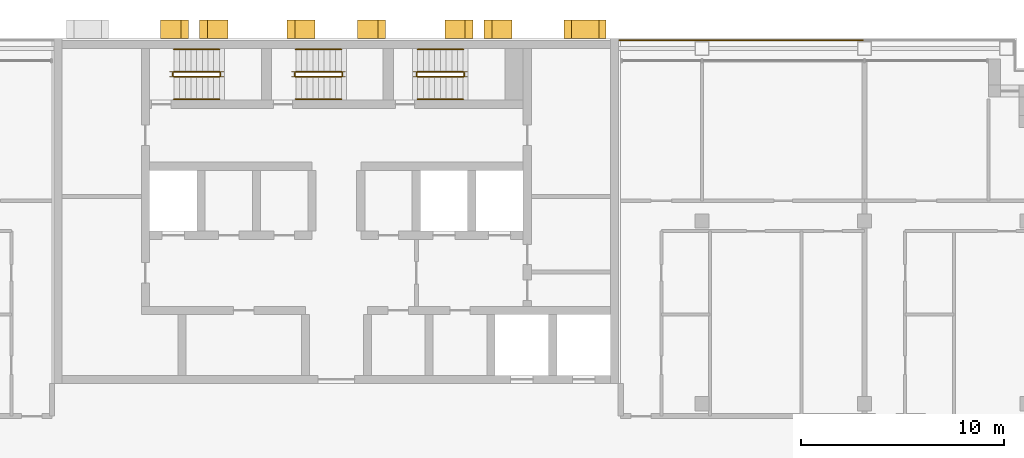
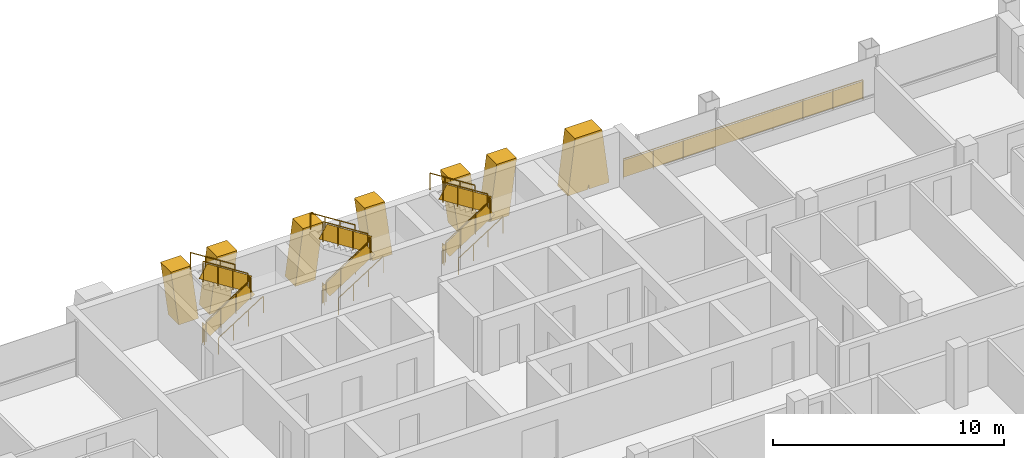
# One storey, part 15 of 16: 19 railings, 7 shading devices.
"""IFC4 building model written with IfcOpenShell, lengths in metres."""

from ifc_helpers import new_model, si_unit, direction, frame, origin, origin_2d, place, context, subcontext, project, spatial, polyline, rectangle, circle, outline, extrude, material, layer, layer_set, type_object, element, save


model = new_model("IFC4")

# Units and contexts
model_context = context("Model", 3, precision=1e-05, world=origin(), true_north=direction((0.0, 1.0)))
body_context = subcontext(model_context, "Body", "Model", "MODEL_VIEW")
ifc_project = project(units=[si_unit("LENGTHUNIT", "METRE"), si_unit("AREAUNIT", "SQUARE_METRE"), si_unit("VOLUMEUNIT", "CUBIC_METRE"), si_unit("PLANEANGLEUNIT", "RADIAN"), si_unit("MASSUNIT", "GRAM", prefix="KILO")], contexts=[model_context])

# Site, building, storey
site_placement = place(None, origin())
site = spatial("IfcSite", under=ifc_project, at=site_placement, CompositionType="ELEMENT")
building_placement = place(site_placement, origin())
building = spatial("IfcBuilding", under=site, at=building_placement, Name="Vidyagriha Tower", CompositionType="ELEMENT")
storey_placement = place(building_placement, frame((0.0, 0.0, 171.699951171875)))
storey = spatial("IfcBuildingStorey", under=building, at=storey_placement, Name="L44", CompositionType="ELEMENT", Elevation=171.699951171875)

# Shading devices
ifc_material_1 = material(Name="Precast concrete C40/50 with brick facing", Category="concrete")
ifc_layer_1 = layer(ifc_material_1, 1.0)
ifc_layer_set_1 = layer_set([ifc_layer_1], Name="Precast concrete C40/50 with brick facing")
shading_device_type_1 = type_object("IfcShadingDeviceType", Name="Brick-faced rear rib arm leaning 8 degrees", PredefinedType="USERDEFINED", material=ifc_layer_set_1)
shading_device_1_placement = place(storey_placement, frame((6.728515625, 20.449951171875, 0.0), z_axis=(0.0, 0.0, 1.0), x_axis=(-1.0, 0.0, 0.0)))
element("IfcShadingDevice", 1, at=shading_device_1_placement, inside=storey, type_object=shading_device_type_1, Name="Rear rib arm L44 R08.2a", ObjectType="BLADE FIN", PredefinedType="USERDEFINED", context=body_context, shape_type="SweptSolid", body=[
    extrude(outline(polyline([(0.0, 0.0), (1.0, 0.0), (1.3857421875, 2.920166015625), (0.3857421875, 2.920166015625), (0.0, 0.0)])), frame((0.0, 0.449951171875, 0.0), z_axis=(0.0, -1.0, 0.0), x_axis=(1.0, 0.0, 0.0)), (0.0, 0.0, 1.0), 0.89990234375),
])
shading_device_2_placement = place(storey_placement, frame((8.656982421875, 20.449951171875, 0.0), z_axis=(0.0, 0.0, 1.0), x_axis=(-1.0, 0.0, 0.0)))
element("IfcShadingDevice", 2, at=shading_device_2_placement, inside=storey, type_object=shading_device_type_1, Name="Rear rib arm L44 R08.2b", ObjectType="BLADE FIN", PredefinedType="USERDEFINED", context=body_context, shape_type="SweptSolid", body=[
    extrude(outline(polyline([(0.3857421875, 0.0), (1.3857421875, 0.0), (1.0, 2.920166015625), (0.0, 2.920166015625), (0.3857421875, 0.0)])), frame((0.0, 0.449951171875, 0.0), z_axis=(0.0, -1.0, 0.0), x_axis=(1.0, 0.0, 0.0)), (0.0, 0.0, 1.0), 0.89990234375),
])
shading_device_3_placement = place(storey_placement, frame((2.4287109375, 20.449951171875, 0.0), z_axis=(0.0, 0.0, 1.0), x_axis=(-1.0, 0.0, 0.0)))
element("IfcShadingDevice", 3, at=shading_device_3_placement, inside=storey, type_object=shading_device_type_1, Name="Rear rib arm L44 R08.3a", ObjectType="BLADE FIN", PredefinedType="USERDEFINED", context=body_context, shape_type="SweptSolid", body=[
    extrude(outline(polyline([(0.0, 0.0), (1.0, 0.0), (1.3857421875, 2.920166015625), (0.3857421875, 2.920166015625), (0.0, 0.0)])), frame((0.0, 0.449951171875, 0.0), z_axis=(0.0, -1.0, 0.0), x_axis=(1.0, 0.0, 0.0)), (0.0, 0.0, 1.0), 0.89990234375),
])
shading_device_4_placement = place(storey_placement, frame((-1.04296875, 20.449951171875, 0.0), z_axis=(0.0, 0.0, 1.0), x_axis=(-1.0, 0.0, 0.0)))
element("IfcShadingDevice", 4, at=shading_device_4_placement, inside=storey, type_object=shading_device_type_1, Name="Rear rib arm L44 R08.3b", ObjectType="BLADE FIN", PredefinedType="USERDEFINED", context=body_context, shape_type="SweptSolid", body=[
    extrude(outline(polyline([(0.3857421875, 0.0), (1.3857421875, 0.0), (1.0, 2.920166015625), (0.0, 2.920166015625), (0.3857421875, 0.0)])), frame((0.0, 0.449951171875, 0.0), z_axis=(0.0, -1.0, 0.0), x_axis=(1.0, 0.0, 0.0)), (0.0, 0.0, 1.0), 0.89990234375),
])
shading_device_5_placement = place(storey_placement, frame((-7.271484375, 20.449951171875, 0.0), z_axis=(0.0, 0.0, 1.0), x_axis=(-1.0, 0.0, 0.0)))
element("IfcShadingDevice", 5, at=shading_device_5_placement, inside=storey, type_object=shading_device_type_1, Name="Rear rib arm L44 R08.4a", ObjectType="BLADE FIN", PredefinedType="USERDEFINED", context=body_context, shape_type="SweptSolid", body=[
    extrude(outline(polyline([(0.0, 0.0), (1.0, 0.0), (1.3857421875, 2.920166015625), (0.3857421875, 2.920166015625), (0.0, 0.0)])), frame((0.0, 0.449951171875, 0.0), z_axis=(0.0, -1.0, 0.0), x_axis=(1.0, 0.0, 0.0)), (0.0, 0.0, 1.0), 0.89990234375),
])
shading_device_6_placement = place(storey_placement, frame((-5.343017578125, 20.449951171875, 0.0), z_axis=(0.0, 0.0, 1.0), x_axis=(-1.0, 0.0, 0.0)))
element("IfcShadingDevice", 6, at=shading_device_6_placement, inside=storey, type_object=shading_device_type_1, Name="Rear rib arm L44 R08.4b", ObjectType="BLADE FIN", PredefinedType="USERDEFINED", context=body_context, shape_type="SweptSolid", body=[
    extrude(outline(polyline([(0.3857421875, 0.0), (1.3857421875, 0.0), (1.0, 2.920166015625), (0.0, 2.920166015625), (0.3857421875, 0.0)])), frame((0.0, 0.449951171875, 0.0), z_axis=(0.0, -1.0, 0.0), x_axis=(1.0, 0.0, 0.0)), (0.0, 0.0, 1.0), 0.89990234375),
])
ifc_material_2 = material(Name="Precast concrete C40/50 with brick facing", Category="concrete")
ifc_layer_2 = layer(ifc_material_2, 1.0)
ifc_layer_set_2 = layer_set([ifc_layer_2], Name="Precast concrete C40/50 with brick facing")
shading_device_type_2 = type_object("IfcShadingDeviceType", Name="Brick-faced rear rib forking 8 degrees", PredefinedType="USERDEFINED", material=ifc_layer_set_2)
shading_device_7_placement = place(storey_placement, frame((13.28564453125, 20.449951171875, 0.0), z_axis=(0.0, 0.0, 1.0), x_axis=(-1.0, 0.0, 0.0)))
element("IfcShadingDevice", 7, at=shading_device_7_placement, inside=storey, type_object=shading_device_type_2, Name="Rear rib fork L44 R08.1a", ObjectType="BLADE FIN", PredefinedType="USERDEFINED", context=body_context, shape_type="SweptSolid", body=[
    extrude(outline(polyline([(1.0, 0.0), (1.03564453125, 0.2919921875), (1.0712890625, 0.0), (2.0712890625, 0.0), (1.71435546875, 2.920166015625), (0.357177734375, 2.920166015625), (0.0, 0.0), (1.0, 0.0)])), frame((0.0, 0.449951171875, 0.0), z_axis=(0.0, -1.0, 0.0), x_axis=(1.0, 0.0, 0.0)), (0.0, 0.0, 1.0), 0.89990234375),
])

# Railings
ifc_material_3 = material(Name="Steel ASTM A500 Grade C black painted", Category="steel")
railing_type_1 = type_object("IfcRailingType", Name="Gallery guard 1100", PredefinedType="GUARDRAIL", material=ifc_material_3)
railing_1_placement = place(storey_placement, frame((13.929931640625, 19.89990234375, 0.0)))
element("IfcRailing", 8, at=railing_1_placement, inside=storey, type_object=railing_type_1, Name="Gallery guard L44 6", PredefinedType="GUARDRAIL", context=body_context, shape_type="SweptSolid", body=[
    extrude(circle(Radius=0.02490234375, at=origin_2d()), frame((0.0, 0.0, 1.0751953125), z_axis=(1.0, 0.0, 0.0), x_axis=(0.0, 1.0, 0.0)), (0.0, 0.0, 1.0), 12.0),
    extrude(circle(Radius=0.02001953125, at=origin_2d()), origin(), (0.0, 0.0, 1.0), 1.050048828125),
    extrude(circle(Radius=0.02001953125, at=origin_2d()), frame((1.5, 0.0, 0.0)), (0.0, 0.0, 1.0), 1.050048828125),
    extrude(circle(Radius=0.02001953125, at=origin_2d()), frame((3.0, 0.0, 0.0)), (0.0, 0.0, 1.0), 1.050048828125),
    extrude(circle(Radius=0.02001953125, at=origin_2d()), frame((4.5, 0.0, 0.0)), (0.0, 0.0, 1.0), 1.050048828125),
    extrude(circle(Radius=0.02001953125, at=origin_2d()), frame((6.0, 0.0, 0.0)), (0.0, 0.0, 1.0), 1.050048828125),
    extrude(circle(Radius=0.02001953125, at=origin_2d()), frame((7.5, 0.0, 0.0)), (0.0, 0.0, 1.0), 1.050048828125),
    extrude(circle(Radius=0.02001953125, at=origin_2d()), frame((9.0, 0.0, 0.0)), (0.0, 0.0, 1.0), 1.050048828125),
    extrude(circle(Radius=0.02001953125, at=origin_2d()), frame((10.5, 0.0, 0.0)), (0.0, 0.0, 1.0), 1.050048828125),
    extrude(circle(Radius=0.02001953125, at=origin_2d()), frame((12.0, 0.0, 0.0)), (0.0, 0.0, 1.0), 1.050048828125),
    extrude(rectangle(XDim=0.010009765625, YDim=0.900146484375, at=origin_2d()), frame((0.0, 0.0, 0.550048828125), z_axis=(1.0, 0.0, 0.0), x_axis=(0.0, 1.0, 0.0)), (0.0, 0.0, 1.0), 12.0),
])
ifc_material_4 = material(Name="Steel ASTM A500 Grade C", Category="steel")
railing_type_2 = type_object("IfcRailingType", Name="Stair guard 1100 mm, steel balustrade", PredefinedType="GUARDRAIL", material=ifc_material_4)
railing_2_placement = place(storey_placement, frame((-8.0, 18.10009765625, 0.177734375)))
element("IfcRailing", 9, at=railing_2_placement, inside=storey, type_object=railing_type_2, Name="L44 ST1 stair guard 1", PredefinedType="GUARDRAIL", context=body_context, shape_type="SweptSolid", body=[
    extrude(circle(Radius=0.02392578125, at=origin_2d()), frame((0.0, 0.0, 1.076171875), z_axis=(0.84418770128, 0.0, 0.536047689118), x_axis=(0.0, 1.0, 0.0)), (0.0, 0.0, 1.0), 2.6533203125),
    extrude(circle(Radius=0.02099609375, at=origin_2d()), origin(), (0.0, 0.0, 1.0), 1.052001953125),
    extrude(circle(Radius=0.02099609375, at=origin_2d()), frame((0.74658203125, 0.0, 0.47412109375)), (0.0, 0.0, 1.0), 1.052001953125),
    extrude(circle(Radius=0.02099609375, at=origin_2d()), frame((1.493408203125, 0.0, 0.9482421875)), (0.0, 0.0, 1.0), 1.052001953125),
    extrude(circle(Radius=0.02099609375, at=origin_2d()), frame((2.239990234375, 0.0, 1.42236328125)), (0.0, 0.0, 1.0), 1.052001953125),
    extrude(rectangle(XDim=0.010009765625, YDim=0.761474609375, at=origin_2d()), frame((0.0, 0.0, 0.551025390625), z_axis=(0.84418770128, 0.0, 0.536047689118), x_axis=(0.0, 1.0, 0.0)), (0.0, 0.0, 1.0), 2.6533203125),
])
railing_3_placement = place(storey_placement, frame((-5.7099609375, 18.14990234375, 1.60009765625)))
element("IfcRailing", 10, at=railing_3_placement, inside=storey, type_object=railing_type_2, Name="L44 ST1 stair guard 2", PredefinedType="GUARDRAIL", context=body_context, shape_type="SweptSolid", body=[
    extrude(circle(Radius=0.02392578125, at=origin_2d()), frame((0.0, 0.0, 1.076171875), z_axis=(0.0, 1.0, 0.0), x_axis=(-1.0, 0.0, 0.0)), (0.0, 0.0, 1.0), 0.150146484375),
    extrude(circle(Radius=0.02099609375, at=origin_2d()), origin(), (0.0, 0.0, 1.0), 1.052001953125),
    extrude(circle(Radius=0.02099609375, at=origin_2d()), frame((0.0, 0.150146484375, 0.0)), (0.0, 0.0, 1.0), 1.052001953125),
    extrude(rectangle(XDim=0.010009765625, YDim=0.902099609375, at=origin_2d()), frame((0.0, 0.0, 0.551025390625), z_axis=(0.0, 1.0, 0.0), x_axis=(-1.0, 0.0, 0.0)), (0.0, 0.0, 1.0), 0.150146484375),
])
railing_4_placement = place(storey_placement, frame((-5.760009765625, 18.35009765625, 1.77783203125)))
element("IfcRailing", 11, at=railing_4_placement, inside=storey, type_object=railing_type_2, Name="L44 ST1 stair guard 3", PredefinedType="GUARDRAIL", context=body_context, shape_type="SweptSolid", body=[
    extrude(circle(Radius=0.02392578125, at=origin_2d()), frame((0.0, 0.0, 1.076171875), z_axis=(-0.8442293374, 0.0, 0.53598211339), x_axis=(0.0, -1.0, 0.0)), (0.0, 0.0, 1.0), 2.6533203125),
    extrude(circle(Radius=0.02099609375, at=origin_2d()), origin(), (0.0, 0.0, 1.0), 1.052001953125),
    extrude(circle(Radius=0.02099609375, at=origin_2d()), frame((-0.74658203125, 0.0, 0.47412109375)), (0.0, 0.0, 1.0), 1.052001953125),
    extrude(circle(Radius=0.02099609375, at=origin_2d()), frame((-1.493408203125, 0.0, 0.947998046875)), (0.0, 0.0, 1.0), 1.052001953125),
    extrude(circle(Radius=0.02099609375, at=origin_2d()), frame((-2.239990234375, 0.0, 1.422119140625)), (0.0, 0.0, 1.0), 1.052001953125),
    extrude(rectangle(XDim=0.010009765625, YDim=0.761474609375, at=origin_2d()), frame((0.0, 0.0, 0.551025390625), z_axis=(-0.8442293374, 0.0, 0.53598211339), x_axis=(0.0, -1.0, 0.0)), (0.0, 0.0, 1.0), 2.6533203125),
])
railing_5_placement = place(storey_placement, frame((-8.050048828125, 18.14990234375, 0.0)))
element("IfcRailing", 12, at=railing_5_placement, inside=storey, type_object=railing_type_2, Name="L44 ST1 stair guard 4", PredefinedType="GUARDRAIL", context=body_context, shape_type="SweptSolid", body=[
    extrude(circle(Radius=0.02392578125, at=origin_2d()), frame((0.0, 0.0, 1.076171875), z_axis=(0.0, 1.0, 0.0), x_axis=(-1.0, 0.0, 0.0)), (0.0, 0.0, 1.0), 0.150146484375),
    extrude(circle(Radius=0.02099609375, at=origin_2d()), origin(), (0.0, 0.0, 1.0), 1.052001953125),
    extrude(circle(Radius=0.02099609375, at=origin_2d()), frame((0.0, 0.150146484375, 0.0)), (0.0, 0.0, 1.0), 1.052001953125),
    extrude(rectangle(XDim=0.010009765625, YDim=0.902099609375, at=origin_2d()), frame((0.0, 0.0, 0.551025390625), z_axis=(0.0, 1.0, 0.0), x_axis=(-1.0, 0.0, 0.0)), (0.0, 0.0, 1.0), 0.150146484375),
])
railing_6_placement = place(storey_placement, frame((-2.0, 18.10009765625, 0.177734375)))
element("IfcRailing", 13, at=railing_6_placement, inside=storey, type_object=railing_type_2, Name="L44 ST2 stair guard 1", PredefinedType="GUARDRAIL", context=body_context, shape_type="SweptSolid", body=[
    extrude(circle(Radius=0.02392578125, at=origin_2d()), frame((0.0, 0.0, 1.076171875), z_axis=(0.84418770128, 0.0, 0.536047689118), x_axis=(0.0, 1.0, 0.0)), (0.0, 0.0, 1.0), 2.6533203125),
    extrude(circle(Radius=0.02099609375, at=origin_2d()), origin(), (0.0, 0.0, 1.0), 1.052001953125),
    extrude(circle(Radius=0.02099609375, at=origin_2d()), frame((0.74658203125, 0.0, 0.47412109375)), (0.0, 0.0, 1.0), 1.052001953125),
    extrude(circle(Radius=0.02099609375, at=origin_2d()), frame((1.493408203125, 0.0, 0.9482421875)), (0.0, 0.0, 1.0), 1.052001953125),
    extrude(circle(Radius=0.02099609375, at=origin_2d()), frame((2.239990234375, 0.0, 1.42236328125)), (0.0, 0.0, 1.0), 1.052001953125),
    extrude(rectangle(XDim=0.010009765625, YDim=0.761474609375, at=origin_2d()), frame((0.0, 0.0, 0.551025390625), z_axis=(0.84418770128, 0.0, 0.536047689118), x_axis=(0.0, 1.0, 0.0)), (0.0, 0.0, 1.0), 2.6533203125),
])
railing_7_placement = place(storey_placement, frame((0.2900390625, 18.14990234375, 1.60009765625)))
element("IfcRailing", 14, at=railing_7_placement, inside=storey, type_object=railing_type_2, Name="L44 ST2 stair guard 2", PredefinedType="GUARDRAIL", context=body_context, shape_type="SweptSolid", body=[
    extrude(circle(Radius=0.02392578125, at=origin_2d()), frame((0.0, 0.0, 1.076171875), z_axis=(0.0, 1.0, 0.0), x_axis=(-1.0, 0.0, 0.0)), (0.0, 0.0, 1.0), 0.150146484375),
    extrude(circle(Radius=0.02099609375, at=origin_2d()), origin(), (0.0, 0.0, 1.0), 1.052001953125),
    extrude(circle(Radius=0.02099609375, at=origin_2d()), frame((0.0, 0.150146484375, 0.0)), (0.0, 0.0, 1.0), 1.052001953125),
    extrude(rectangle(XDim=0.010009765625, YDim=0.902099609375, at=origin_2d()), frame((0.0, 0.0, 0.551025390625), z_axis=(0.0, 1.0, 0.0), x_axis=(-1.0, 0.0, 0.0)), (0.0, 0.0, 1.0), 0.150146484375),
])
railing_8_placement = place(storey_placement, frame((0.239990234375, 18.35009765625, 1.77783203125)))
element("IfcRailing", 15, at=railing_8_placement, inside=storey, type_object=railing_type_2, Name="L44 ST2 stair guard 3", PredefinedType="GUARDRAIL", context=body_context, shape_type="SweptSolid", body=[
    extrude(circle(Radius=0.02392578125, at=origin_2d()), frame((0.0, 0.0, 1.076171875), z_axis=(-0.8442293374, 0.0, 0.53598211339), x_axis=(0.0, -1.0, 0.0)), (0.0, 0.0, 1.0), 2.6533203125),
    extrude(circle(Radius=0.02099609375, at=origin_2d()), origin(), (0.0, 0.0, 1.0), 1.052001953125),
    extrude(circle(Radius=0.02099609375, at=origin_2d()), frame((-0.74658203125, 0.0, 0.47412109375)), (0.0, 0.0, 1.0), 1.052001953125),
    extrude(circle(Radius=0.02099609375, at=origin_2d()), frame((-1.493408203125, 0.0, 0.947998046875)), (0.0, 0.0, 1.0), 1.052001953125),
    extrude(circle(Radius=0.02099609375, at=origin_2d()), frame((-2.239990234375, 0.0, 1.422119140625)), (0.0, 0.0, 1.0), 1.052001953125),
    extrude(rectangle(XDim=0.010009765625, YDim=0.761474609375, at=origin_2d()), frame((0.0, 0.0, 0.551025390625), z_axis=(-0.8442293374, 0.0, 0.53598211339), x_axis=(0.0, -1.0, 0.0)), (0.0, 0.0, 1.0), 2.6533203125),
])
railing_9_placement = place(storey_placement, frame((-2.050048828125, 18.14990234375, 0.0)))
element("IfcRailing", 16, at=railing_9_placement, inside=storey, type_object=railing_type_2, Name="L44 ST2 stair guard 4", PredefinedType="GUARDRAIL", context=body_context, shape_type="SweptSolid", body=[
    extrude(circle(Radius=0.02392578125, at=origin_2d()), frame((0.0, 0.0, 1.076171875), z_axis=(0.0, 1.0, 0.0), x_axis=(-1.0, 0.0, 0.0)), (0.0, 0.0, 1.0), 0.150146484375),
    extrude(circle(Radius=0.02099609375, at=origin_2d()), origin(), (0.0, 0.0, 1.0), 1.052001953125),
    extrude(circle(Radius=0.02099609375, at=origin_2d()), frame((0.0, 0.150146484375, 0.0)), (0.0, 0.0, 1.0), 1.052001953125),
    extrude(rectangle(XDim=0.010009765625, YDim=0.902099609375, at=origin_2d()), frame((0.0, 0.0, 0.551025390625), z_axis=(0.0, 1.0, 0.0), x_axis=(-1.0, 0.0, 0.0)), (0.0, 0.0, 1.0), 0.150146484375),
])
railing_10_placement = place(storey_placement, frame((4.0, 18.10009765625, 0.177734375)))
element("IfcRailing", 17, at=railing_10_placement, inside=storey, type_object=railing_type_2, Name="L44 ST3 stair guard 1", PredefinedType="GUARDRAIL", context=body_context, shape_type="SweptSolid", body=[
    extrude(circle(Radius=0.02392578125, at=origin_2d()), frame((0.0, 0.0, 1.076171875), z_axis=(0.84418770128, 0.0, 0.536047689118), x_axis=(0.0, 1.0, 0.0)), (0.0, 0.0, 1.0), 2.6533203125),
    extrude(circle(Radius=0.02099609375, at=origin_2d()), origin(), (0.0, 0.0, 1.0), 1.052001953125),
    extrude(circle(Radius=0.02099609375, at=origin_2d()), frame((0.74658203125, 0.0, 0.47412109375)), (0.0, 0.0, 1.0), 1.052001953125),
    extrude(circle(Radius=0.02099609375, at=origin_2d()), frame((1.493408203125, 0.0, 0.9482421875)), (0.0, 0.0, 1.0), 1.052001953125),
    extrude(circle(Radius=0.02099609375, at=origin_2d()), frame((2.239990234375, 0.0, 1.42236328125)), (0.0, 0.0, 1.0), 1.052001953125),
    extrude(rectangle(XDim=0.010009765625, YDim=0.761474609375, at=origin_2d()), frame((0.0, 0.0, 0.551025390625), z_axis=(0.84418770128, 0.0, 0.536047689118), x_axis=(0.0, 1.0, 0.0)), (0.0, 0.0, 1.0), 2.6533203125),
])
railing_11_placement = place(storey_placement, frame((6.2900390625, 18.14990234375, 1.60009765625)))
element("IfcRailing", 18, at=railing_11_placement, inside=storey, type_object=railing_type_2, Name="L44 ST3 stair guard 2", PredefinedType="GUARDRAIL", context=body_context, shape_type="SweptSolid", body=[
    extrude(circle(Radius=0.02392578125, at=origin_2d()), frame((0.0, 0.0, 1.076171875), z_axis=(0.0, 1.0, 0.0), x_axis=(-1.0, 0.0, 0.0)), (0.0, 0.0, 1.0), 0.150146484375),
    extrude(circle(Radius=0.02099609375, at=origin_2d()), origin(), (0.0, 0.0, 1.0), 1.052001953125),
    extrude(circle(Radius=0.02099609375, at=origin_2d()), frame((0.0, 0.150146484375, 0.0)), (0.0, 0.0, 1.0), 1.052001953125),
    extrude(rectangle(XDim=0.010009765625, YDim=0.902099609375, at=origin_2d()), frame((0.0, 0.0, 0.551025390625), z_axis=(0.0, 1.0, 0.0), x_axis=(-1.0, 0.0, 0.0)), (0.0, 0.0, 1.0), 0.150146484375),
])
railing_12_placement = place(storey_placement, frame((6.239990234375, 18.35009765625, 1.77783203125)))
element("IfcRailing", 19, at=railing_12_placement, inside=storey, type_object=railing_type_2, Name="L44 ST3 stair guard 3", PredefinedType="GUARDRAIL", context=body_context, shape_type="SweptSolid", body=[
    extrude(circle(Radius=0.02392578125, at=origin_2d()), frame((0.0, 0.0, 1.076171875), z_axis=(-0.8442293374, 0.0, 0.53598211339), x_axis=(0.0, -1.0, 0.0)), (0.0, 0.0, 1.0), 2.6533203125),
    extrude(circle(Radius=0.02099609375, at=origin_2d()), origin(), (0.0, 0.0, 1.0), 1.052001953125),
    extrude(circle(Radius=0.02099609375, at=origin_2d()), frame((-0.74658203125, 0.0, 0.47412109375)), (0.0, 0.0, 1.0), 1.052001953125),
    extrude(circle(Radius=0.02099609375, at=origin_2d()), frame((-1.493408203125, 0.0, 0.947998046875)), (0.0, 0.0, 1.0), 1.052001953125),
    extrude(circle(Radius=0.02099609375, at=origin_2d()), frame((-2.239990234375, 0.0, 1.422119140625)), (0.0, 0.0, 1.0), 1.052001953125),
    extrude(rectangle(XDim=0.010009765625, YDim=0.761474609375, at=origin_2d()), frame((0.0, 0.0, 0.551025390625), z_axis=(-0.8442293374, 0.0, 0.53598211339), x_axis=(0.0, -1.0, 0.0)), (0.0, 0.0, 1.0), 2.6533203125),
])
railing_13_placement = place(storey_placement, frame((3.949951171875, 18.14990234375, 0.0)))
element("IfcRailing", 20, at=railing_13_placement, inside=storey, type_object=railing_type_2, Name="L44 ST3 stair guard 4", PredefinedType="GUARDRAIL", context=body_context, shape_type="SweptSolid", body=[
    extrude(circle(Radius=0.02392578125, at=origin_2d()), frame((0.0, 0.0, 1.076171875), z_axis=(0.0, 1.0, 0.0), x_axis=(-1.0, 0.0, 0.0)), (0.0, 0.0, 1.0), 0.150146484375),
    extrude(circle(Radius=0.02099609375, at=origin_2d()), origin(), (0.0, 0.0, 1.0), 1.052001953125),
    extrude(circle(Radius=0.02099609375, at=origin_2d()), frame((0.0, 0.150146484375, 0.0)), (0.0, 0.0, 1.0), 1.052001953125),
    extrude(rectangle(XDim=0.010009765625, YDim=0.902099609375, at=origin_2d()), frame((0.0, 0.0, 0.551025390625), z_axis=(0.0, 1.0, 0.0), x_axis=(-1.0, 0.0, 0.0)), (0.0, 0.0, 1.0), 0.150146484375),
])
ifc_material_5 = material(Name="Steel ASTM A500 Grade C", Category="steel")
railing_type_3 = type_object("IfcRailingType", Name="Stair handrail 900 mm, steel", PredefinedType="HANDRAIL", material=ifc_material_5)
railing_14_placement = place(storey_placement, frame((-8.0, 17.0, 0.177734375)))
element("IfcRailing", 21, at=railing_14_placement, inside=storey, type_object=railing_type_3, Name="L44 ST1 stair handrail 1", PredefinedType="HANDRAIL", context=body_context, shape_type="SweptSolid", body=[
    extrude(circle(Radius=0.02392578125, at=origin_2d()), frame((0.0, 0.0, 0.8759765625), z_axis=(0.84418770128, 0.0, 0.536047689118), x_axis=(0.0, 1.0, 0.0)), (0.0, 0.0, 1.0), 2.6533203125),
    extrude(circle(Radius=0.02099609375, at=origin_2d()), origin(), (0.0, 0.0, 1.0), 0.851806640625),
    extrude(circle(Radius=0.02099609375, at=origin_2d()), frame((0.74658203125, 0.0, 0.47412109375)), (0.0, 0.0, 1.0), 0.851806640625),
    extrude(circle(Radius=0.02099609375, at=origin_2d()), frame((1.493408203125, 0.0, 0.9482421875)), (0.0, 0.0, 1.0), 0.851806640625),
    extrude(circle(Radius=0.02099609375, at=origin_2d()), frame((2.239990234375, 0.0, 1.42236328125)), (0.0, 0.0, 1.0), 0.851806640625),
])
railing_15_placement = place(storey_placement, frame((-5.760009765625, 19.449951171875, 1.77783203125)))
element("IfcRailing", 22, at=railing_15_placement, inside=storey, type_object=railing_type_3, Name="L44 ST1 stair handrail 2", PredefinedType="HANDRAIL", context=body_context, shape_type="SweptSolid", body=[
    extrude(circle(Radius=0.02392578125, at=origin_2d()), frame((0.0, 0.0, 0.8759765625), z_axis=(-0.8442293374, 0.0, 0.53598211339), x_axis=(0.0, -1.0, 0.0)), (0.0, 0.0, 1.0), 2.6533203125),
    extrude(circle(Radius=0.02099609375, at=origin_2d()), origin(), (0.0, 0.0, 1.0), 0.851806640625),
    extrude(circle(Radius=0.02099609375, at=origin_2d()), frame((-0.74658203125, 0.0, 0.47412109375)), (0.0, 0.0, 1.0), 0.851806640625),
    extrude(circle(Radius=0.02099609375, at=origin_2d()), frame((-1.493408203125, 0.0, 0.947998046875)), (0.0, 0.0, 1.0), 0.851806640625),
    extrude(circle(Radius=0.02099609375, at=origin_2d()), frame((-2.239990234375, 0.0, 1.422119140625)), (0.0, 0.0, 1.0), 0.851806640625),
])
railing_16_placement = place(storey_placement, frame((-2.0, 17.0, 0.177734375)))
element("IfcRailing", 23, at=railing_16_placement, inside=storey, type_object=railing_type_3, Name="L44 ST2 stair handrail 1", PredefinedType="HANDRAIL", context=body_context, shape_type="SweptSolid", body=[
    extrude(circle(Radius=0.02392578125, at=origin_2d()), frame((0.0, 0.0, 0.8759765625), z_axis=(0.84418770128, 0.0, 0.536047689118), x_axis=(0.0, 1.0, 0.0)), (0.0, 0.0, 1.0), 2.6533203125),
    extrude(circle(Radius=0.02099609375, at=origin_2d()), origin(), (0.0, 0.0, 1.0), 0.851806640625),
    extrude(circle(Radius=0.02099609375, at=origin_2d()), frame((0.74658203125, 0.0, 0.47412109375)), (0.0, 0.0, 1.0), 0.851806640625),
    extrude(circle(Radius=0.02099609375, at=origin_2d()), frame((1.493408203125, 0.0, 0.9482421875)), (0.0, 0.0, 1.0), 0.851806640625),
    extrude(circle(Radius=0.02099609375, at=origin_2d()), frame((2.239990234375, 0.0, 1.42236328125)), (0.0, 0.0, 1.0), 0.851806640625),
])
railing_17_placement = place(storey_placement, frame((0.239990234375, 19.449951171875, 1.77783203125)))
element("IfcRailing", 24, at=railing_17_placement, inside=storey, type_object=railing_type_3, Name="L44 ST2 stair handrail 2", PredefinedType="HANDRAIL", context=body_context, shape_type="SweptSolid", body=[
    extrude(circle(Radius=0.02392578125, at=origin_2d()), frame((0.0, 0.0, 0.8759765625), z_axis=(-0.8442293374, 0.0, 0.53598211339), x_axis=(0.0, -1.0, 0.0)), (0.0, 0.0, 1.0), 2.6533203125),
    extrude(circle(Radius=0.02099609375, at=origin_2d()), origin(), (0.0, 0.0, 1.0), 0.851806640625),
    extrude(circle(Radius=0.02099609375, at=origin_2d()), frame((-0.74658203125, 0.0, 0.47412109375)), (0.0, 0.0, 1.0), 0.851806640625),
    extrude(circle(Radius=0.02099609375, at=origin_2d()), frame((-1.493408203125, 0.0, 0.947998046875)), (0.0, 0.0, 1.0), 0.851806640625),
    extrude(circle(Radius=0.02099609375, at=origin_2d()), frame((-2.239990234375, 0.0, 1.422119140625)), (0.0, 0.0, 1.0), 0.851806640625),
])
railing_18_placement = place(storey_placement, frame((4.0, 17.0, 0.177734375)))
element("IfcRailing", 25, at=railing_18_placement, inside=storey, type_object=railing_type_3, Name="L44 ST3 stair handrail 1", PredefinedType="HANDRAIL", context=body_context, shape_type="SweptSolid", body=[
    extrude(circle(Radius=0.02392578125, at=origin_2d()), frame((0.0, 0.0, 0.8759765625), z_axis=(0.84418770128, 0.0, 0.536047689118), x_axis=(0.0, 1.0, 0.0)), (0.0, 0.0, 1.0), 2.6533203125),
    extrude(circle(Radius=0.02099609375, at=origin_2d()), origin(), (0.0, 0.0, 1.0), 0.851806640625),
    extrude(circle(Radius=0.02099609375, at=origin_2d()), frame((0.74658203125, 0.0, 0.47412109375)), (0.0, 0.0, 1.0), 0.851806640625),
    extrude(circle(Radius=0.02099609375, at=origin_2d()), frame((1.493408203125, 0.0, 0.9482421875)), (0.0, 0.0, 1.0), 0.851806640625),
    extrude(circle(Radius=0.02099609375, at=origin_2d()), frame((2.239990234375, 0.0, 1.42236328125)), (0.0, 0.0, 1.0), 0.851806640625),
])
railing_19_placement = place(storey_placement, frame((6.239990234375, 19.449951171875, 1.77783203125)))
element("IfcRailing", 26, at=railing_19_placement, inside=storey, type_object=railing_type_3, Name="L44 ST3 stair handrail 2", PredefinedType="HANDRAIL", context=body_context, shape_type="SweptSolid", body=[
    extrude(circle(Radius=0.02392578125, at=origin_2d()), frame((0.0, 0.0, 0.8759765625), z_axis=(-0.8442293374, 0.0, 0.53598211339), x_axis=(0.0, -1.0, 0.0)), (0.0, 0.0, 1.0), 2.6533203125),
    extrude(circle(Radius=0.02099609375, at=origin_2d()), origin(), (0.0, 0.0, 1.0), 0.851806640625),
    extrude(circle(Radius=0.02099609375, at=origin_2d()), frame((-0.74658203125, 0.0, 0.47412109375)), (0.0, 0.0, 1.0), 0.851806640625),
    extrude(circle(Radius=0.02099609375, at=origin_2d()), frame((-1.493408203125, 0.0, 0.947998046875)), (0.0, 0.0, 1.0), 0.851806640625),
    extrude(circle(Radius=0.02099609375, at=origin_2d()), frame((-2.239990234375, 0.0, 1.422119140625)), (0.0, 0.0, 1.0), 0.851806640625),
])

save(model, "model.ifc")
